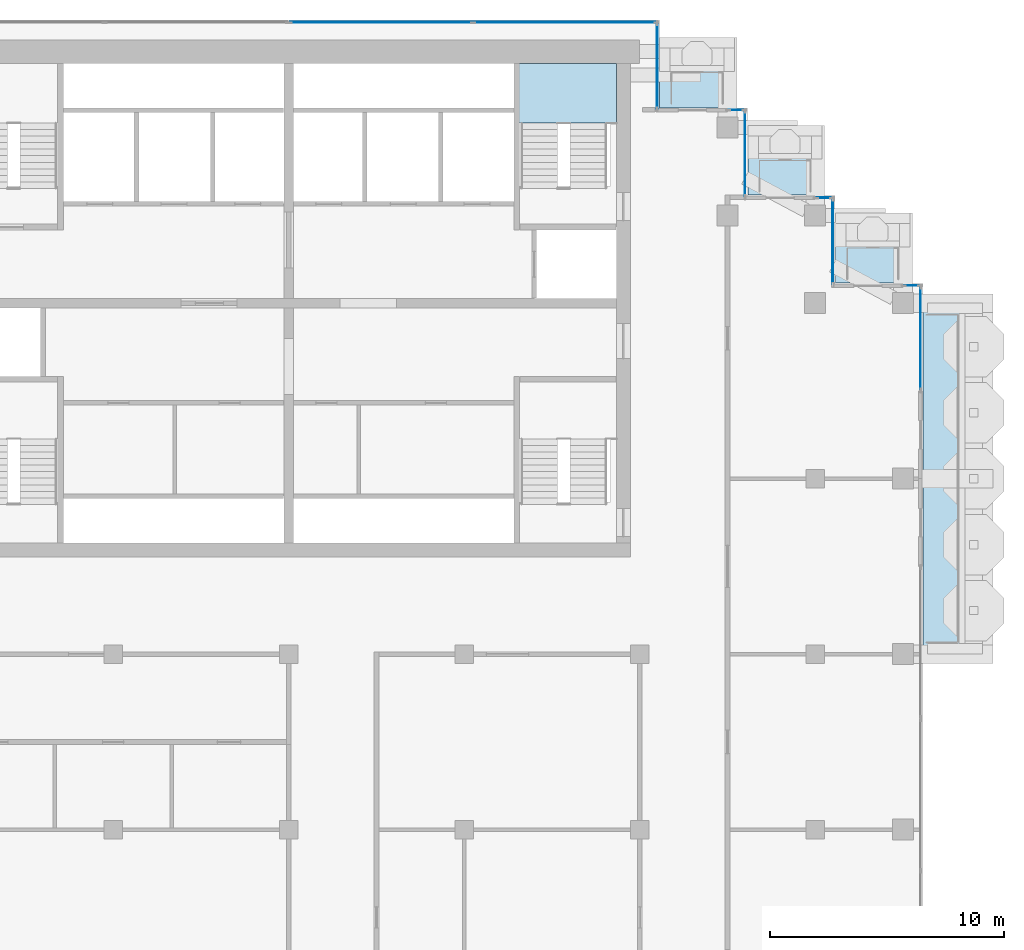
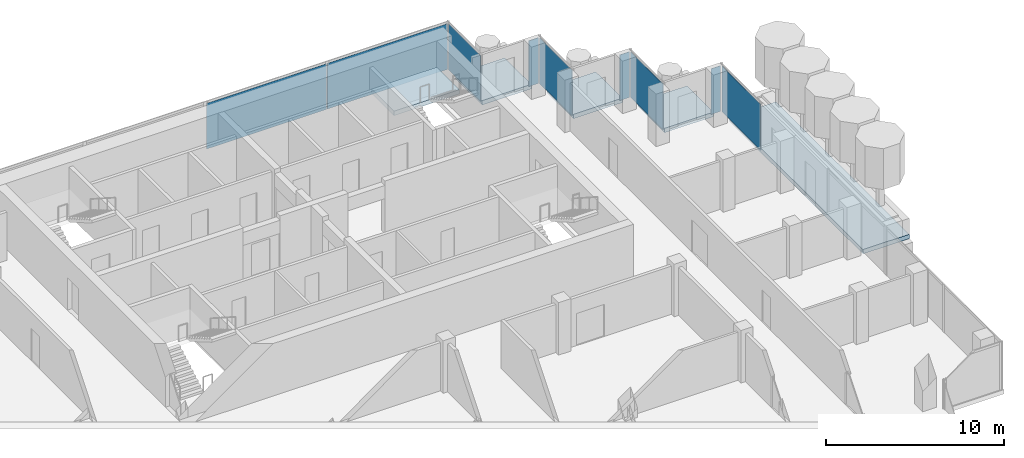
# One storey, part 10 of 18: 9 plates, 5 slabs, 9 elements without a shape of their own.
"""IFC4 building model written with IfcOpenShell, lengths in metres."""

from ifc_helpers import new_model, si_unit, direction, frame, origin, origin_2d, place, context, subcontext, project, spatial, polyline, rectangle, outline, extrude, material, layer, layer_set, type_object, element, aggregate, save


model = new_model("IFC4")

# Units and contexts
model_context = context("Model", 3, precision=1e-05, world=origin(), true_north=direction((0.0, 1.0)))
body_context = subcontext(model_context, "Body", "Model", "MODEL_VIEW")
ifc_project = project(units=[si_unit("LENGTHUNIT", "METRE"), si_unit("AREAUNIT", "SQUARE_METRE"), si_unit("VOLUMEUNIT", "CUBIC_METRE"), si_unit("PLANEANGLEUNIT", "RADIAN"), si_unit("MASSUNIT", "GRAM", prefix="KILO")], contexts=[model_context])

# Site, building, storey
site_placement = place(None, origin())
site = spatial("IfcSite", under=ifc_project, at=site_placement, CompositionType="ELEMENT")
building_placement = place(site_placement, origin())
building = spatial("IfcBuilding", under=site, at=building_placement, Name="Pilkhan Gate Tower", CompositionType="ELEMENT")
storey_placement = place(building_placement, frame((0.0, 0.0, 231.89990234375)))
storey = spatial("IfcBuildingStorey", under=building, at=storey_placement, Name="L60", CompositionType="ELEMENT", Elevation=231.89990234375)

# Slabs
ifc_material_1 = material(Name="Concrete C60/75", Category="concrete")
ifc_layer_1 = layer(ifc_material_1, 0.300048828125)
ifc_layer_set_1 = layer_set([ifc_layer_1], Name="Balcony tray slab TR300")
slab_type_1 = type_object("IfcSlabType", Name="Balcony tray slab TR300", PredefinedType="FLOOR", material=ifc_layer_set_1)
slab_1_placement = place(storey_placement, frame((0.0, 0.0, -0.2998046875)))
element("IfcSlab", 1, at=slab_1_placement, inside=storey, type_object=slab_type_1, Name="Balcony tray L60 E", PredefinedType="FLOOR", context=body_context, shape_type="SweptSolid", body=[
    extrude(outline(polyline([(105.10009765625, 67.5), (105.10009765625, 82.5), (102.10009765625, 82.5), (102.10009765625, 67.5), (105.10009765625, 67.5)])), origin(), (0.0, 0.0, 1.0), 0.2998046875),
])
slab_2_placement = place(storey_placement, frame((0.0, 0.0, -0.2998046875)))
element("IfcSlab", 2, at=slab_2_placement, inside=storey, type_object=slab_type_1, Name="Balcony tray L60 N", PredefinedType="FLOOR", context=body_context, shape_type="SweptSolid", body=[
    extrude(outline(polyline([(94.050048828125, 90.85009765625), (94.050048828125, 93.85009765625), (90.85009765625, 93.85009765625), (90.85009765625, 90.85009765625), (94.050048828125, 90.85009765625)])), origin(), (0.0, 0.0, 1.0), 0.2998046875),
])
slab_3_placement = place(storey_placement, frame((0.0, 0.0, -0.2998046875)))
element("IfcSlab", 3, at=slab_3_placement, inside=storey, type_object=slab_type_1, Name="Balcony tray L60 N", PredefinedType="FLOOR", context=body_context, shape_type="SweptSolid", body=[
    extrude(outline(polyline([(97.800048828125, 87.1201171875), (97.800048828125, 90.10009765625), (94.6201171875, 90.10009765625), (94.6201171875, 87.1201171875), (97.800048828125, 87.1201171875)])), origin(), (0.0, 0.0, 1.0), 0.2998046875),
])
slab_4_placement = place(storey_placement, frame((0.0, 0.0, -0.2998046875)))
element("IfcSlab", 4, at=slab_4_placement, inside=storey, type_object=slab_type_1, Name="Balcony tray L60 N", PredefinedType="FLOOR", context=body_context, shape_type="SweptSolid", body=[
    extrude(outline(polyline([(101.550048828125, 83.3701171875), (101.550048828125, 86.35009765625), (98.3701171875, 86.35009765625), (98.3701171875, 83.3701171875), (101.550048828125, 83.3701171875)])), origin(), (0.0, 0.0, 1.0), 0.2998046875),
])

# Curtain wall, plate
ifc_material_2 = material(Name="Pale anodised aluminium, clear low-iron double glazing", Category="aluminium")
curtain_wall_type = type_object("IfcCurtainWallType", Name="Office unitised curtain wall CW-O2", PredefinedType="USERDEFINED", material=ifc_material_2)
curtain_wall_1_placement = place(storey_placement, origin())
curtain_wall_1 = element("IfcCurtainWall", 5, at=curtain_wall_1_placement, inside=storey, type_object=curtain_wall_type, Name="Office unitised curtain wall CW-O2 L60 E", ObjectType="UNITISED CURTAIN WALL", PredefinedType="USERDEFINED")
ifc_material_3 = material(Name="Clear low-iron double glazing", Category="glass")
ifc_layer_2 = layer(ifc_material_3, 0.031982421875)
ifc_layer_set_2 = layer_set([ifc_layer_2], Name="Glass panel CW-O2 32")
plate_type = type_object("IfcPlateType", Name="Glass panel CW-O2 32", PredefinedType="CURTAIN_PANEL", material=ifc_layer_set_2)
plate_1_placement = place(storey_placement, frame((102.0, 81.0, 0.0), z_axis=(0.0, 0.0, 1.0), x_axis=(0.0, 1.0, 0.0)))
plate_1 = element("IfcPlate", 6, at=plate_1_placement, type_object=plate_type, Name="CW-O2 panel 1", PredefinedType="CURTAIN_PANEL", context=body_context, shape_type="SweptSolid", body=[
    extrude(rectangle(XDim=4.3701171875, YDim=0.031982421875, at=origin_2d()), origin(), (0.0, 0.0, 1.0), 3.135009765625),
])
aggregate(curtain_wall_1, [plate_1])

curtain_wall_2_placement = place(storey_placement, origin())
curtain_wall_2 = element("IfcCurtainWall", 7, at=curtain_wall_2_placement, inside=storey, type_object=curtain_wall_type, Name="Office unitised curtain wall CW-O2 L60 N", ObjectType="UNITISED CURTAIN WALL", PredefinedType="USERDEFINED")
plate_2_placement = place(storey_placement, frame((101.625, 83.25, 0.0), z_axis=(0.0, 0.0, 1.0), x_axis=(1.0, 0.0, 0.0)))
plate_2 = element("IfcPlate", 8, at=plate_2_placement, type_object=plate_type, Name="CW-O2 panel 1", PredefinedType="CURTAIN_PANEL", context=body_context, shape_type="SweptSolid", body=[
    extrude(rectangle(XDim=0.6201171875, YDim=0.031982421875, at=origin_2d()), origin(), (0.0, 0.0, 1.0), 3.135009765625),
])
aggregate(curtain_wall_2, [plate_2])

curtain_wall_3_placement = place(storey_placement, origin())
curtain_wall_3 = element("IfcCurtainWall", 9, at=curtain_wall_3_placement, inside=storey, type_object=curtain_wall_type, Name="Office unitised curtain wall CW-O2 L60 E", ObjectType="UNITISED CURTAIN WALL", PredefinedType="USERDEFINED")
plate_3_placement = place(storey_placement, frame((98.25, 85.125, 0.0), z_axis=(0.0, 0.0, 1.0), x_axis=(0.0, 1.0, 0.0)))
plate_3 = element("IfcPlate", 10, at=plate_3_placement, type_object=plate_type, Name="CW-O2 panel 1", PredefinedType="CURTAIN_PANEL", context=body_context, shape_type="SweptSolid", body=[
    extrude(rectangle(XDim=3.6201171875, YDim=0.031982421875, at=origin_2d()), origin(), (0.0, 0.0, 1.0), 3.135009765625),
])
aggregate(curtain_wall_3, [plate_3])

curtain_wall_4_placement = place(storey_placement, origin())
curtain_wall_4 = element("IfcCurtainWall", 11, at=curtain_wall_4_placement, inside=storey, type_object=curtain_wall_type, Name="Office unitised curtain wall CW-O2 L60 N", ObjectType="UNITISED CURTAIN WALL", PredefinedType="USERDEFINED")
plate_4_placement = place(storey_placement, frame((97.875, 87.0, 0.0), z_axis=(0.0, 0.0, 1.0), x_axis=(1.0, 0.0, 0.0)))
plate_4 = element("IfcPlate", 12, at=plate_4_placement, type_object=plate_type, Name="CW-O2 panel 1", PredefinedType="CURTAIN_PANEL", context=body_context, shape_type="SweptSolid", body=[
    extrude(rectangle(XDim=0.6201171875, YDim=0.031982421875, at=origin_2d()), origin(), (0.0, 0.0, 1.0), 3.135009765625),
])
aggregate(curtain_wall_4, [plate_4])

curtain_wall_5_placement = place(storey_placement, origin())
curtain_wall_5 = element("IfcCurtainWall", 13, at=curtain_wall_5_placement, inside=storey, type_object=curtain_wall_type, Name="Office unitised curtain wall CW-O2 L60 E", ObjectType="UNITISED CURTAIN WALL", PredefinedType="USERDEFINED")
plate_5_placement = place(storey_placement, frame((94.5, 88.875, 0.0), z_axis=(0.0, 0.0, 1.0), x_axis=(0.0, 1.0, 0.0)))
plate_5 = element("IfcPlate", 14, at=plate_5_placement, type_object=plate_type, Name="CW-O2 panel 1", PredefinedType="CURTAIN_PANEL", context=body_context, shape_type="SweptSolid", body=[
    extrude(rectangle(XDim=3.6201171875, YDim=0.031982421875, at=origin_2d()), origin(), (0.0, 0.0, 1.0), 3.135009765625),
])
aggregate(curtain_wall_5, [plate_5])

curtain_wall_6_placement = place(storey_placement, origin())
curtain_wall_6 = element("IfcCurtainWall", 15, at=curtain_wall_6_placement, inside=storey, type_object=curtain_wall_type, Name="Office unitised curtain wall CW-O2 L60 N", ObjectType="UNITISED CURTAIN WALL", PredefinedType="USERDEFINED")
plate_6_placement = place(storey_placement, frame((94.125, 90.75, 0.0), z_axis=(0.0, 0.0, 1.0), x_axis=(1.0, 0.0, 0.0)))
plate_6 = element("IfcPlate", 16, at=plate_6_placement, type_object=plate_type, Name="CW-O2 panel 1", PredefinedType="CURTAIN_PANEL", context=body_context, shape_type="SweptSolid", body=[
    extrude(rectangle(XDim=0.6201171875, YDim=0.031982421875, at=origin_2d()), origin(), (0.0, 0.0, 1.0), 3.135009765625),
])
aggregate(curtain_wall_6, [plate_6])

curtain_wall_7_placement = place(storey_placement, origin())
curtain_wall_7 = element("IfcCurtainWall", 17, at=curtain_wall_7_placement, inside=storey, type_object=curtain_wall_type, Name="Office unitised curtain wall CW-O2 L60 E", ObjectType="UNITISED CURTAIN WALL", PredefinedType="USERDEFINED")
plate_7_placement = place(storey_placement, frame((90.75, 92.625, 0.0), z_axis=(0.0, 0.0, 1.0), x_axis=(0.0, 1.0, 0.0)))
plate_7 = element("IfcPlate", 18, at=plate_7_placement, type_object=plate_type, Name="CW-O2 panel 1", PredefinedType="CURTAIN_PANEL", context=body_context, shape_type="SweptSolid", body=[
    extrude(rectangle(XDim=3.6201171875, YDim=0.031982421875, at=origin_2d()), origin(), (0.0, 0.0, 1.0), 3.135009765625),
])
aggregate(curtain_wall_7, [plate_7])

# Curtain wall, plates
curtain_wall_8_placement = place(storey_placement, origin())
curtain_wall_8 = element("IfcCurtainWall", 19, at=curtain_wall_8_placement, inside=storey, type_object=curtain_wall_type, Name="Office unitised curtain wall CW-O2 L60 N", ObjectType="UNITISED CURTAIN WALL", PredefinedType="USERDEFINED")
plate_8_placement = place(storey_placement, frame((78.953857421875, 94.5, 0.0), z_axis=(0.0, 0.0, 1.0), x_axis=(1.0, 0.0, 0.0)))
plate_8 = element("IfcPlate", 20, at=plate_8_placement, type_object=plate_type, Name="CW-O2 panel 1", PredefinedType="CURTAIN_PANEL", context=body_context, shape_type="SweptSolid", body=[
    extrude(rectangle(XDim=7.777587890625, YDim=0.031982421875, at=origin_2d()), origin(), (0.0, 0.0, 1.0), 3.135009765625),
])
plate_9_placement = place(storey_placement, frame((86.796142578125, 94.5, 0.0), z_axis=(0.0, 0.0, 1.0), x_axis=(1.0, 0.0, 0.0)))
plate_9 = element("IfcPlate", 21, at=plate_9_placement, type_object=plate_type, Name="CW-O2 panel 2", PredefinedType="CURTAIN_PANEL", context=body_context, shape_type="SweptSolid", body=[
    extrude(rectangle(XDim=7.777587890625, YDim=0.031982421875, at=origin_2d()), origin(), (0.0, 0.0, 1.0), 3.135009765625),
])
aggregate(curtain_wall_8, [plate_8, plate_9])

# Stair, slab
ifc_material_4 = material(Name="Concrete C40/50 precast", Category="concrete")
stair_type = type_object("IfcStairType", Name="Stair ST4 164x280", PredefinedType="HALF_TURN_STAIR", material=ifc_material_4)
stair_placement = place(storey_placement, origin())
stair = element("IfcStair", 22, at=stair_placement, inside=storey, type_object=stair_type, Name="Stair ST4 L60", PredefinedType="HALF_TURN_STAIR")
ifc_material_5 = material(Name="Concrete C40/50", Category="concrete")
ifc_layer_3 = layer(ifc_material_5, 0.199951171875)
ifc_layer_set_3 = layer_set([ifc_layer_3], Name="Stair landing SL200")
slab_type_2 = type_object("IfcSlabType", Name="Stair landing SL200", PredefinedType="LANDING", material=ifc_layer_set_3)
slab_5_placement = place(storey_placement, frame((0.0, 0.0, 1.5)))
slab_5 = element("IfcSlab", 23, at=slab_5_placement, type_object=slab_type_2, Name="ST4 landing 1", PredefinedType="LANDING", context=body_context, shape_type="SweptSolid", body=[
    extrude(outline(polyline([(89.0, 90.199951171875), (89.0, 92.75), (84.75, 92.75), (84.75, 90.199951171875), (89.0, 90.199951171875)])), origin(), (0.0, 0.0, 1.0), 0.300048828125),
])
aggregate(stair, [slab_5])

save(model, "model.ifc")
